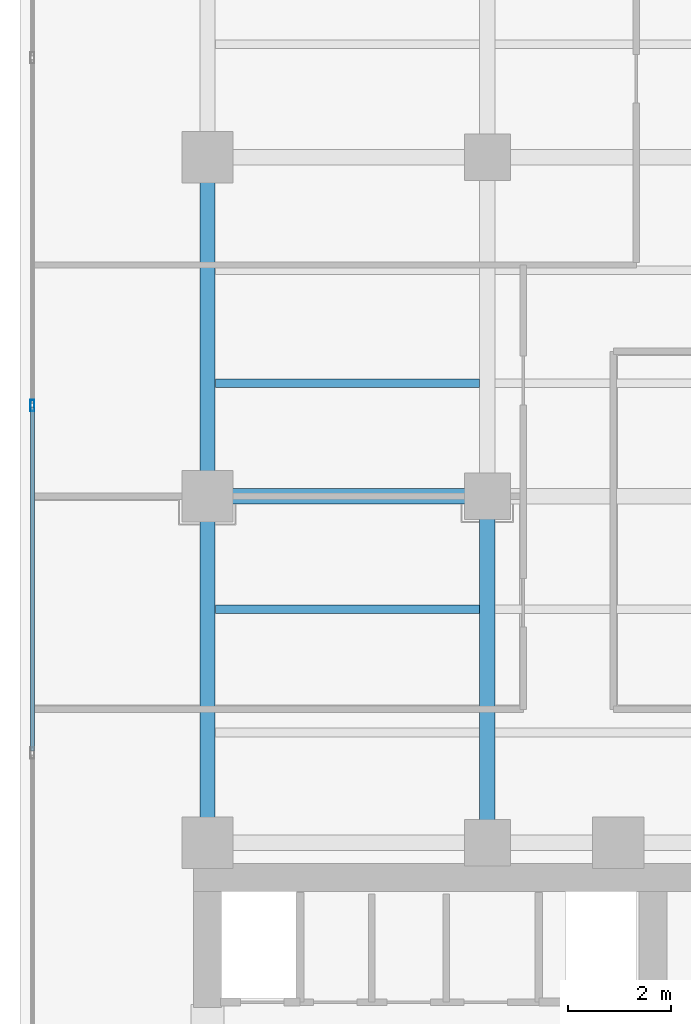
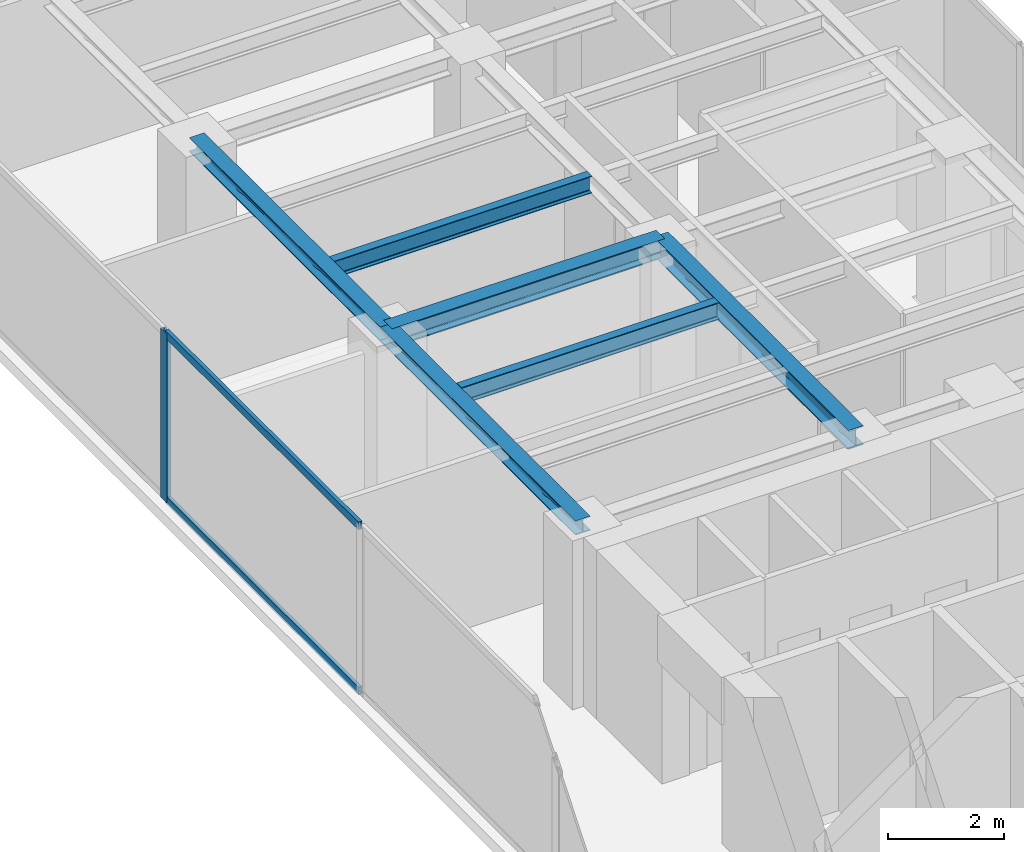
# One storey, part 8 of 25: 6 beams, 3 members, 1 element without a shape of its own.
"""IFC4 building model written with IfcOpenShell, lengths in metres."""

import ifcopenshell
import ifcopenshell.guid

model = None  # the IFC model being written
_history = None  # IfcOwnerHistory: only IFC2X3 demands one
_inside = {}  # id of a spatial element -> (the spatial element, [elements in it])
_under = {}  # id of a project, library or spatial element -> (it, [spatial elements below it])
_declared = {}  # id of a project -> (the project, [libraries it declares])
_typed = {}  # id of a type object -> (the type object, [elements of that type])
_made_of = {}  # id of a material, layer set ... -> (it, [elements and type objects made of it])


def new_model(schema):
    """Start an empty IFC model of exactly this schema.

    Asked for "IFC4X3", IfcOpenShell would pick the latest addendum, in which some entities
    have other attributes; the version numbers below select the first issue.
    IFC2X3 requires an IfcOwnerHistory on every rooted entity: one is made here for all.
    """
    global model, _history
    if schema == "IFC4X3":
        model = ifcopenshell.file(schema_version=(4, 3, 0, 0))
    else:
        model = ifcopenshell.file(schema=schema)
    _inside.clear()
    _under.clear()
    _declared.clear()
    _typed.clear()
    _made_of.clear()
    _history = None
    if model.schema == "IFC2X3":
        org = make("IfcOrganization", Name="unknown")
        user = make(
            "IfcPersonAndOrganization",
            ThePerson=make("IfcPerson", FamilyName="unknown"),
            TheOrganization=org,
        )
        app = make(
            "IfcApplication",
            ApplicationDeveloper=org,
            Version="unknown",
            ApplicationFullName="unknown",
            ApplicationIdentifier="unknown",
        )
        _history = make(
            "IfcOwnerHistory",
            OwningUser=user,
            OwningApplication=app,
            ChangeAction="ADDED",
            CreationDate=0,
        )
    return model


def make(cls, **values):
    """One entity of the class cls with the attributes given. An attribute that is None is left unset."""
    return model.create_entity(
        cls, **{name: value for name, value in values.items() if value is not None}
    )


def rooted(cls, **values):
    """An entity with a GlobalId (a new one), such as an element, a storey or a relation."""
    return make(cls, GlobalId=ifcopenshell.guid.new(), OwnerHistory=_history, **values)


def si_unit(unit_type, name, prefix=None):
    """IfcSIUnit, for example si_unit("LENGTHUNIT", "METRE", prefix="MILLI")."""
    return make("IfcSIUnit", UnitType=unit_type, Prefix=prefix, Name=name)


def assignment(units):
    """IfcUnitAssignment: the units of a project."""
    return None if units is None else make("IfcUnitAssignment", Units=units)


def point(xyz):
    """IfcCartesianPoint."""
    return None if xyz is None else make("IfcCartesianPoint", Coordinates=xyz)


def direction(xyz):
    """IfcDirection."""
    return None if xyz is None else make("IfcDirection", DirectionRatios=xyz)


def frame(location, z_axis=None, x_axis=None):
    """IfcAxis2Placement3D, a coordinate frame: its origin and axes. An axis left out is left unset."""
    return make(
        "IfcAxis2Placement3D",
        Location=point(location),
        Axis=direction(z_axis),
        RefDirection=direction(x_axis),
    )


def frame_2d(location, x_axis=None):
    """IfcAxis2Placement2D, a coordinate frame in the plane: its origin and x axis."""
    return make(
        "IfcAxis2Placement2D", Location=point(location), RefDirection=direction(x_axis)
    )


def origin():
    """The frame at (0, 0, 0) with its axes left unset."""
    return frame((0.0, 0.0, 0.0))


def origin_with_axes():
    """The frame at (0, 0, 0) with the z axis (0, 0, 1) and the x axis (1, 0, 0) written out."""
    return frame((0.0, 0.0, 0.0), z_axis=(0.0, 0.0, 1.0), x_axis=(1.0, 0.0, 0.0))


def origin_2d():
    """The frame at (0, 0) in the plane with its x axis left unset."""
    return frame_2d((0.0, 0.0))


def place(relative_to, where):
    """IfcLocalPlacement: puts the frame where relative to a parent placement (None: the world)."""
    return make(
        "IfcLocalPlacement", PlacementRelTo=relative_to, RelativePlacement=where
    )


def context(
    kind, dimensions, precision=None, world=None, true_north=None, identifier=None
):
    """IfcGeometricRepresentationContext, for example the 3D "Model" context."""
    return make(
        "IfcGeometricRepresentationContext",
        ContextIdentifier=identifier,
        ContextType=kind,
        CoordinateSpaceDimension=dimensions,
        Precision=precision,
        WorldCoordinateSystem=world,
        TrueNorth=true_north,
    )


def subcontext(parent, identifier, kind, view, scale=None):
    """IfcGeometricRepresentationSubContext, for example "Body" below "Model"."""
    return make(
        "IfcGeometricRepresentationSubContext",
        ContextIdentifier=identifier,
        ContextType=kind,
        ParentContext=parent,
        TargetScale=scale,
        TargetView=view,
    )


def project(units=None, contexts=None):
    """IfcProject with its units and contexts."""
    return rooted(
        "IfcProject",
        Name="project",
        RepresentationContexts=contexts,
        UnitsInContext=assignment(units),
    )


def spatial(cls, under=None, at=None, **own):
    """A site, building, storey or space (cls), placed at a placement, below another one or the project."""
    s = rooted(cls, ObjectPlacement=at, **own)
    if under is not None:
        _under.setdefault(under.id(), (under, []))[1].append(s)
    return s


def profile(cls, at=None, kind="AREA", **sizes):
    """A parametric profile (cls). Its sizes go by their IFC names, for example OverallWidth=200.0."""
    return make(cls, ProfileType=kind, Position=at, **sizes)


def hollow_rectangle(**sizes):
    """IfcRectangleHollowProfileDef."""
    return profile("IfcRectangleHollowProfileDef", **sizes)


def i_section(**sizes):
    """IfcIShapeProfileDef."""
    return profile("IfcIShapeProfileDef", **sizes)


def extrude(swept, where, along, depth):
    """IfcExtrudedAreaSolid: the profile swept, set in the frame where, extruded along a direction by depth."""
    return make(
        "IfcExtrudedAreaSolid",
        SweptArea=swept,
        Position=where,
        ExtrudedDirection=direction(along),
        Depth=depth,
    )


def shape(context_of_items, identifier, shape_type, items):
    """IfcShapeRepresentation: the items that make up one representation, for example the "Body"."""
    return make(
        "IfcShapeRepresentation",
        ContextOfItems=context_of_items,
        RepresentationIdentifier=identifier,
        RepresentationType=shape_type,
        Items=items,
    )


def source(mapping_origin, context_of_items, identifier, shape_type, items):
    """IfcRepresentationMap: a shape defined once, which mapped items show again and again."""
    return make(
        "IfcRepresentationMap",
        MappingOrigin=mapping_origin,
        MappedRepresentation=shape(context_of_items, identifier, shape_type, items),
    )


def transform(
    local_origin,
    x_axis=None,
    y_axis=None,
    z_axis=None,
    scale=None,
    scale2=None,
    scale3=None,
    uniform=True,
):
    """IfcCartesianTransformationOperator3D, or its non-uniform kind. x_axis, y_axis, z_axis: its Axis1, 2, 3."""
    if uniform:
        return make(
            "IfcCartesianTransformationOperator3D",
            Axis1=direction(x_axis),
            Axis2=direction(y_axis),
            LocalOrigin=point(local_origin),
            Scale=scale,
            Axis3=direction(z_axis),
        )
    return make(
        "IfcCartesianTransformationOperator3DnonUniform",
        Axis1=direction(x_axis),
        Axis2=direction(y_axis),
        LocalOrigin=point(local_origin),
        Scale=scale,
        Axis3=direction(z_axis),
        Scale2=scale2,
        Scale3=scale3,
    )


def mapped(mapping_source, mapping_target):
    """IfcMappedItem: shows the shape of a source again, moved by a transform."""
    return make(
        "IfcMappedItem", MappingSource=mapping_source, MappingTarget=mapping_target
    )


def material(Name=None, Category=None):
    """IfcMaterial."""
    return make("IfcMaterial", Name=Name, Category=Category)


def layer(
    of_material, thickness, ventilated=None, Name=None, Category=None, Priority=None
):
    """IfcMaterialLayer: one layer of a wall or slab, of a material (None: an air gap)."""
    return make(
        "IfcMaterialLayer",
        Material=of_material,
        LayerThickness=thickness,
        IsVentilated=ventilated,
        Name=Name,
        Category=Category,
        Priority=Priority,
    )


def layer_set(layers, Name=None):
    """IfcMaterialLayerSet."""
    return make("IfcMaterialLayerSet", MaterialLayers=layers, LayerSetName=Name)


def material_profile(
    of_material, cross_section, Name=None, Category=None, Priority=None
):
    """IfcMaterialProfile: a cross section and its material."""
    return make(
        "IfcMaterialProfile",
        Name=Name,
        Material=of_material,
        Profile=cross_section,
        Priority=Priority,
        Category=Category,
    )


def profile_set(profiles, Name=None, composite=None):
    """IfcMaterialProfileSet."""
    return make(
        "IfcMaterialProfileSet",
        Name=Name,
        MaterialProfiles=profiles,
        CompositeProfile=composite,
    )


def made_of(thing, what):
    """Note that an element or type object is made of a material, layer set ...; save() writes the relation."""
    if what is not None:
        _made_of.setdefault(what.id(), (what, []))[1].append(thing)
    return thing


def type_object(cls, material=None, **own):
    """A type object (cls), such as IfcWallType, which elements share."""
    return made_of(rooted(cls, **own), material)


def element(
    cls,
    number,
    at=None,
    inside=None,
    cuts=None,
    type_object=None,
    material=None,
    context=None,
    identifier="Body",
    shape_type=None,
    held_by="IfcProductDefinitionShape",
    body=None,
    shapes=None,
    **own,
):
    """One element of the class cls, such as IfcWall. Its Tag is "e" and its number.

    at: its placement. inside: the storey or other place that contains it. cuts: it is an
    opening in that element (IfcRelVoidsElement). A single representation is given by context,
    identifier, shape_type and body (its items); several are given by shapes. held_by: the class
    of the entity that holds the representations. save() writes the other relations.
    """
    e = rooted(cls, Tag="e%d" % number, ObjectPlacement=at, **own)
    if body is not None:
        shapes = [shape(context, identifier, shape_type, body)]
    if shapes is not None:
        e.Representation = make(held_by, Representations=shapes)
    if inside is not None:
        _inside.setdefault(inside.id(), (inside, []))[1].append(e)
    if cuts is not None:
        rooted(
            "IfcRelVoidsElement", RelatingBuildingElement=cuts, RelatedOpeningElement=e
        )
    if type_object is not None:
        _typed.setdefault(type_object.id(), (type_object, []))[1].append(e)
    return made_of(e, material)


def aggregate(whole, parts):
    """IfcRelAggregates: a whole, such as a stair, and the parts it consists of."""
    return rooted("IfcRelAggregates", RelatingObject=whole, RelatedObjects=parts)


def save(model, path):
    """Write the relations noted so far, then the file.

    IfcRelAggregates (storeys below a building ...), IfcRelContainedInSpatialStructure (elements
    in a storey), IfcRelDefinesByType, IfcRelAssociatesMaterial and IfcRelDeclares: one each for
    every whole, place, type object, material and project.
    """
    for whole, parts in _under.values():
        aggregate(whole, parts)
    for where, things in _inside.values():
        rooted(
            "IfcRelContainedInSpatialStructure",
            RelatedElements=things,
            RelatingStructure=where,
        )
    for kind, things in _typed.values():
        rooted("IfcRelDefinesByType", RelatedObjects=things, RelatingType=kind)
    for what, things in _made_of.values():
        rooted("IfcRelAssociatesMaterial", RelatedObjects=things, RelatingMaterial=what)
    for by, libraries in _declared.values():
        rooted("IfcRelDeclares", RelatingContext=by, RelatedDefinitions=libraries)
    model.write(path)


model = new_model("IFC4")

# Units and contexts
model_context = context("Model", 3, precision=1e-05, world=origin(), true_north=direction((0.0, 1.0)))
body_context = subcontext(model_context, "Body", "Model", "MODEL_VIEW")
ifc_project = project(units=[si_unit("LENGTHUNIT", "METRE"), si_unit("AREAUNIT", "SQUARE_METRE"), si_unit("VOLUMEUNIT", "CUBIC_METRE"), si_unit("PLANEANGLEUNIT", "RADIAN"), si_unit("MASSUNIT", "GRAM", prefix="KILO")], contexts=[model_context])

# Site, building, storey
site_placement = place(None, origin())
site = spatial("IfcSite", under=ifc_project, at=site_placement, CompositionType="ELEMENT")
building_placement = place(site_placement, origin())
building = spatial("IfcBuilding", under=site, at=building_placement, Name="Kolvaren Waterfront Exchange", CompositionType="ELEMENT")
storey_placement = place(building_placement, frame((0.0, 0.0, 204.5)))
storey = spatial("IfcBuildingStorey", under=building, at=storey_placement, Name="L52", CompositionType="ELEMENT", Elevation=204.5)

# Beams
ifc_material_1 = material(Name="Steel S355", Category="steel")
ifc_material_profile_1 = material_profile(ifc_material_1, i_section(OverallWidth=0.300048828125, OverallDepth=0.300048828125, WebThickness=0.010986328125, FlangeThickness=0.01904296875, FilletRadius=0.027099609375, at=origin_2d()), Name="HEB300")
ifc_profile_set_1 = profile_set([ifc_material_profile_1], Name="Steel S355")
beam_type_1 = type_object("IfcBeamType", Name="STR-BM-HEB300", PredefinedType="SPANDREL", material=ifc_profile_set_1)
beam_1_placement = place(storey_placement, frame((7.449951171875, 24.449951171875, 3.409912109375), z_axis=(0.0, 1.0, 0.0), x_axis=(-1.0, 0.0, 0.0)))
element("IfcBeam", 1, at=beam_1_placement, inside=storey, type_object=beam_type_1, Name="L52 north-arm edge beam 1", PredefinedType="SPANDREL", context=body_context, shape_type="SweptSolid", body=[
    extrude(i_section(OverallWidth=0.300048828125, OverallDepth=0.300048828125, WebThickness=0.010986328125, FlangeThickness=0.01904296875, FilletRadius=0.027099609375, at=origin_2d()), origin(), (0.0, 0.0, 1.0), 6.75),
])
beam_2_placement = place(storey_placement, frame((7.449951171875, 31.199951171875, 3.409912109375), z_axis=(0.0, 1.0, 0.0), x_axis=(-1.0, 0.0, 0.0)))
element("IfcBeam", 2, at=beam_2_placement, inside=storey, type_object=beam_type_1, Name="L52 north-arm edge beam 2", PredefinedType="SPANDREL", context=body_context, shape_type="SweptSolid", body=[
    extrude(i_section(OverallWidth=0.300048828125, OverallDepth=0.300048828125, WebThickness=0.010986328125, FlangeThickness=0.01904296875, FilletRadius=0.027099609375, at=origin_2d()), origin(), (0.0, 0.0, 1.0), 6.60009765625),
])
ifc_material_profile_2 = material_profile(ifc_material_1, i_section(OverallWidth=0.300048828125, OverallDepth=0.39990234375, WebThickness=0.013427734375, FlangeThickness=0.02392578125, FilletRadius=0.027099609375, at=origin_2d()), Name="HEB400")
ifc_profile_set_2 = profile_set([ifc_material_profile_2], Name="Steel S355")
beam_type_2 = type_object("IfcBeamType", Name="STR-BM-HEB400", PredefinedType="BEAM", material=ifc_profile_set_2)
beam_3_placement = place(storey_placement, frame((7.449951171875, 31.199951171875, 3.360107421875), z_axis=(1.0, 0.0, 0.0), x_axis=(0.0, 1.0, 0.0)))
element("IfcBeam", 3, at=beam_3_placement, inside=storey, type_object=beam_type_2, Name="L52 north-arm girder 2A", PredefinedType="BEAM", context=body_context, shape_type="SweptSolid", body=[
    extrude(i_section(OverallWidth=0.300048828125, OverallDepth=0.39990234375, WebThickness=0.013427734375, FlangeThickness=0.02392578125, FilletRadius=0.027099609375, at=origin_2d()), origin(), (0.0, 0.0, 1.0), 5.449951171875),
])
beam_4_placement = place(storey_placement, frame((12.89990234375, 24.449951171875, 3.360107421875), z_axis=(0.0, 1.0, 0.0), x_axis=(-1.0, 0.0, 0.0)))
element("IfcBeam", 4, at=beam_4_placement, inside=storey, type_object=beam_type_2, Name="L52 north-arm edge beam 1", PredefinedType="BEAM", context=body_context, shape_type="SweptSolid", body=[
    extrude(i_section(OverallWidth=0.300048828125, OverallDepth=0.39990234375, WebThickness=0.013427734375, FlangeThickness=0.02392578125, FilletRadius=0.027099609375, at=origin_2d()), origin(), (0.0, 0.0, 1.0), 6.75),
])
ifc_material_profile_3 = material_profile(ifc_material_1, i_section(OverallWidth=0.169921875, OverallDepth=0.360107421875, WebThickness=0.008056640625, FlangeThickness=0.0126953125, FilletRadius=0.01806640625, at=origin_2d()), Name="IPE360")
ifc_profile_set_3 = profile_set([ifc_material_profile_3], Name="Steel S355")
beam_type_3 = type_object("IfcBeamType", Name="STR-BM-IPE360", PredefinedType="JOIST", material=ifc_profile_set_3)
for number, where, z_axis, x_axis, name in (
    (5, (7.60205078125, 29.0, 3.3798828125), (1.0, 0.0, 0.0), (0.0, 1.0, 0.0), "L52 north-arm composite joist 2A"),
    (6, (7.60205078125, 33.39990234375, 3.3798828125), (1.0, 0.0, 0.0), (0.0, 1.0, 0.0), "L52 north-arm composite joist 3A"),
):
    element("IfcBeam", number, at=place(storey_placement, frame(where, z_axis=z_axis, x_axis=x_axis)), inside=storey, type_object=beam_type_3, Name=name, PredefinedType="JOIST", context=body_context, shape_type="SweptSolid", body=[
        extrude(i_section(OverallWidth=0.169921875, OverallDepth=0.360107421875, WebThickness=0.008056640625, FlangeThickness=0.0126953125, FilletRadius=0.01806640625, at=origin_2d()), origin(), (0.0, 0.0, 1.0), 5.14599609375),
    ])

# Curtain wall, members
ifc_material_2 = material(Name="Anodised aluminium 6063-T6", Category="aluminium")
ifc_layer = layer(ifc_material_2, 0.219970703125, Name="Anodised aluminium 6063-T6")
ifc_layer_set = layer_set([ifc_layer], Name="Anodised aluminium 6063-T6")
curtain_wall_type = type_object("IfcCurtainWallType", Name="ARC-CW-SYS2", PredefinedType="USERDEFINED", material=ifc_layer_set)
curtain_wall_placement = place(storey_placement, origin())
curtain_wall = element("IfcCurtainWall", 7, at=curtain_wall_placement, inside=storey, type_object=curtain_wall_type, Name="L52 stick curtain wall CW2 (CW-L52-W)", ObjectType="STICK CURTAIN WALL", PredefinedType="USERDEFINED")
ifc_material_profile_4 = material_profile(ifc_material_2, hollow_rectangle(XDim=0.080078125, YDim=0.219970703125, WallThickness=0.0048828125, at=origin_2d()), Name="ALU-MUL-220x80x5")
ifc_profile_set_4 = profile_set([ifc_material_profile_4], Name="Anodised aluminium 6063-T6")
member_type_1 = type_object("IfcMemberType", Name="ARC-CWM-220", PredefinedType="MULLION", material=ifc_profile_set_4)
shared_shape_1 = source(origin_with_axes(), body_context, "Body", "SweptSolid", [
    extrude(hollow_rectangle(XDim=0.080078125, YDim=0.219970703125, WallThickness=0.0048828125, at=origin_2d()), origin(), (0.0, 0.0, 1.0), 3.56005859375),
])
member_1_placement = place(storey_placement, frame((4.0400390625, 32.966552734375, 0.0), z_axis=(0.0, 0.0, 1.0), x_axis=(-1.0, 0.0, 0.0)))
member_1 = element("IfcMember", 8, at=member_1_placement, type_object=member_type_1, Name="CW2 mullion 5", PredefinedType="MULLION", context=body_context, shape_type="MappedRepresentation", body=[
    mapped(shared_shape_1, transform((0.0, 0.0, 0.0), x_axis=(1.0, 0.0, 0.0), y_axis=(0.0, 1.0, 0.0), z_axis=(0.0, 0.0, 1.0), scale=1.0)),
])
ifc_material_profile_5 = material_profile(ifc_material_2, hollow_rectangle(XDim=0.074951171875, YDim=0.159912109375, WallThickness=0.00439453125, at=origin_2d()), Name="ALU-TRN-160x75x4.5")
ifc_profile_set_5 = profile_set([ifc_material_profile_5], Name="Anodised aluminium 6063-T6")
member_type_2 = type_object("IfcMemberType", Name="ARC-CWT-160", PredefinedType="USERDEFINED", material=ifc_profile_set_5)
shared_shape_2 = source(origin_with_axes(), body_context, "Body", "SweptSolid", [
    extrude(hollow_rectangle(XDim=0.074951171875, YDim=0.159912109375, WallThickness=0.00439453125, at=origin_2d()), origin(), (0.0, 0.0, 1.0), 6.686767578125),
])
member_2_placement = place(storey_placement, frame((4.0400390625, 26.239990234375, 0.03759765625), z_axis=(0.0, 1.0, 0.0), x_axis=(-1.0, 0.0, 0.0)))
member_2 = element("IfcMember", 9, at=member_2_placement, type_object=member_type_2, Name="CW2 transom 4.1", ObjectType="TRANSOM", PredefinedType="USERDEFINED", context=body_context, shape_type="MappedRepresentation", body=[
    mapped(shared_shape_2, transform((0.0, 0.0, 0.0), x_axis=(1.0, 0.0, 0.0), y_axis=(0.0, 1.0, 0.0), z_axis=(0.0, 0.0, 1.0), scale=1.0)),
])
member_3_placement = place(storey_placement, frame((4.0400390625, 26.239990234375, 3.5224609375), z_axis=(0.0, 1.0, 0.0), x_axis=(-1.0, 0.0, 0.0)))
member_3 = element("IfcMember", 10, at=member_3_placement, type_object=member_type_2, Name="CW2 transom 4.2", ObjectType="TRANSOM", PredefinedType="USERDEFINED", context=body_context, shape_type="MappedRepresentation", body=[
    mapped(shared_shape_2, transform((0.0, 0.0, 0.0), x_axis=(1.0, 0.0, 0.0), y_axis=(0.0, 1.0, 0.0), z_axis=(0.0, 0.0, 1.0), scale=1.0)),
])
aggregate(curtain_wall, [member_1, member_2, member_3])

save(model, "model.ifc")
